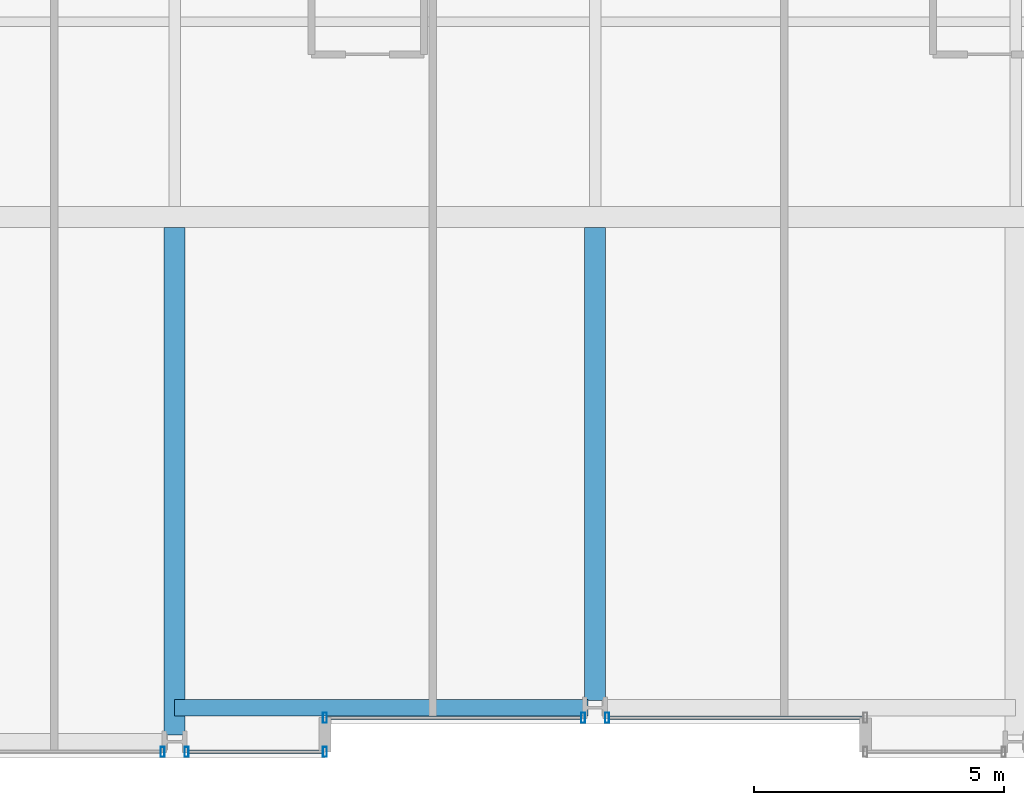
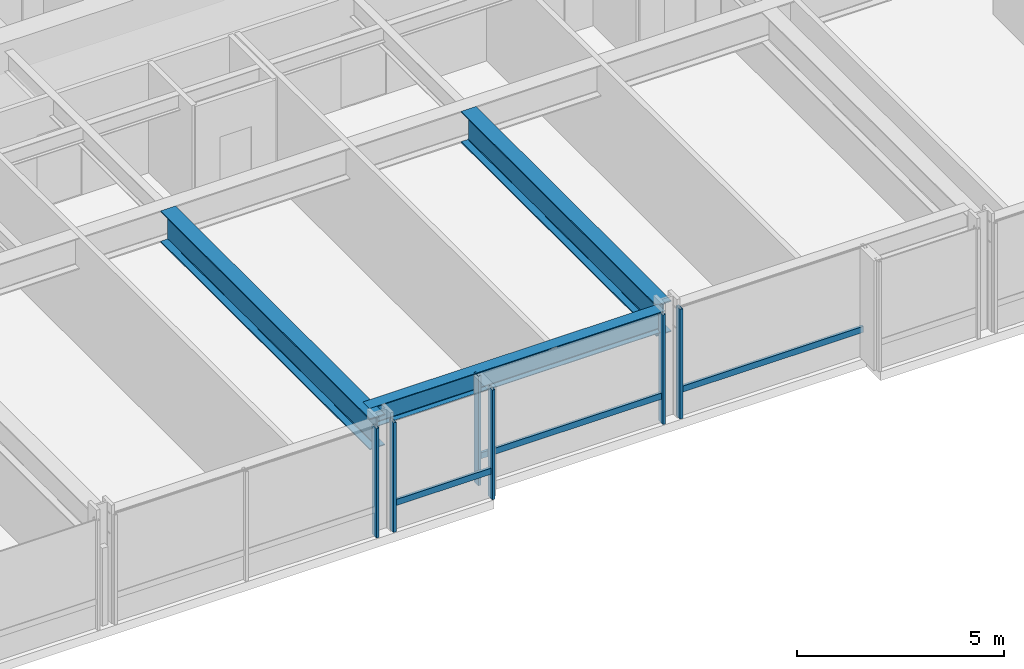
# One storey, part 5 of 39: 9 members, 3 beams, 4 elements without a shape of their own.
"""IFC4 building model written with IfcOpenShell, lengths in metres."""

from ifc_helpers import new_model, si_unit, direction, frame, origin, origin_2d, place, context, subcontext, project, spatial, hollow_rectangle, i_section, extrude, material, layer, layer_set, material_profile, profile_set, type_object, element, aggregate, save


model = new_model("IFC4")

# Units and contexts
model_context = context("Model", 3, precision=1e-05, world=origin(), true_north=direction((0.0, 1.0)))
body_context = subcontext(model_context, "Body", "Model", "MODEL_VIEW")
ifc_project = project(units=[si_unit("LENGTHUNIT", "METRE"), si_unit("AREAUNIT", "SQUARE_METRE"), si_unit("VOLUMEUNIT", "CUBIC_METRE"), si_unit("PLANEANGLEUNIT", "RADIAN"), si_unit("MASSUNIT", "GRAM", prefix="KILO")], contexts=[model_context])

# Site, building, storey
site_placement = place(None, origin())
site = spatial("IfcSite", under=ifc_project, at=site_placement, CompositionType="ELEMENT")
building_placement = place(site_placement, origin())
building = spatial("IfcBuilding", under=site, at=building_placement, Name="Drelvath Grand Hotel", CompositionType="ELEMENT")
storey_placement = place(building_placement, frame((0.0, 0.0, 54.199951171875)))
storey = spatial("IfcBuildingStorey", under=building, at=storey_placement, Name="L12", CompositionType="ELEMENT", Elevation=54.199951171875)

# Curtain wall, member
ifc_material_1 = material(Name="Warm Bronze Anodised Aluminium Frame", Category="aluminium")
ifc_layer = layer(ifc_material_1, 0.199951171875)
ifc_layer_set = layer_set([ifc_layer], Name="Warm Bronze Anodised Aluminium Frame")
curtain_wall_type = type_object("IfcCurtainWallType", Name="Stick Curtain Wall CW-02 Warm Bronze Low-Rise", PredefinedType="NOTDEFINED", material=ifc_layer_set)
curtain_wall_1_placement = place(storey_placement, origin())
curtain_wall_1 = element("IfcCurtainWall", 1, at=curtain_wall_1_placement, inside=storey, type_object=curtain_wall_type, Name="L12 CW-02 Curtain Wall CW02-L12-SM1", PredefinedType="NOTDEFINED")
ifc_material_profile_1 = material_profile(ifc_material_1, hollow_rectangle(XDim=0.074951171875, YDim=0.179931640625, WallThickness=0.0048828125, at=origin_2d()), Name="HSS180X75X5")
ifc_profile_set_1 = profile_set([ifc_material_profile_1], Name="Warm Bronze Anodised Aluminium Frame")
member_type_1 = type_object("IfcMemberType", Name="Curtain Wall Horizontal Transom CW-02 HSS180X75X5", PredefinedType="USERDEFINED", material=ifc_profile_set_1)
member_1_placement = place(storey_placement, frame((-0.281005859375, 0.800048828125, 0.81005859375), z_axis=(-1.0, 0.0, 0.0), x_axis=(0.0, -1.0, 0.0)))
member_1 = element("IfcMember", 2, at=member_1_placement, type_object=member_type_1, Name="CW02-L12-SM1 Sill Transom", ObjectType="TRANSOM", PredefinedType="USERDEFINED", context=body_context, shape_type="SweptSolid", body=[
    extrude(hollow_rectangle(XDim=0.074951171875, YDim=0.179931640625, WallThickness=0.0048828125, at=origin_2d()), origin(), (0.0, 0.0, 1.0), 5.0791015625),
])

curtain_wall_2_placement = place(storey_placement, origin())
curtain_wall_2 = element("IfcCurtainWall", 3, at=curtain_wall_2_placement, inside=storey, type_object=curtain_wall_type, Name="L12 CW-02 Curtain Wall CW02-L12-SM2", PredefinedType="NOTDEFINED")
member_2_placement = place(storey_placement, frame((5.360107421875, 0.800048828125, 0.81005859375), z_axis=(-1.0, 0.0, 0.0), x_axis=(0.0, -1.0, 0.0)))
member_2 = element("IfcMember", 4, at=member_2_placement, type_object=member_type_1, Name="CW02-L12-SM2 Sill Transom", ObjectType="TRANSOM", PredefinedType="USERDEFINED", context=body_context, shape_type="SweptSolid", body=[
    extrude(hollow_rectangle(XDim=0.074951171875, YDim=0.179931640625, WallThickness=0.0048828125, at=origin_2d()), origin(), (0.0, 0.0, 1.0), 5.0791015625),
])

curtain_wall_3_placement = place(storey_placement, origin())
curtain_wall_3 = element("IfcCurtainWall", 5, at=curtain_wall_3_placement, inside=storey, type_object=curtain_wall_type, Name="L12 CW-02 Curtain Wall CW02-L12-SW3", PredefinedType="NOTDEFINED")
member_3_placement = place(storey_placement, frame((-5.43994140625, 0.1201171875, 0.81005859375), z_axis=(-1.0, 0.0, 0.0), x_axis=(0.0, -1.0, 0.0)))
member_3 = element("IfcMember", 6, at=member_3_placement, type_object=member_type_1, Name="CW02-L12-SW3 Sill Transom", ObjectType="TRANSOM", PredefinedType="USERDEFINED", context=body_context, shape_type="SweptSolid", body=[
    extrude(hollow_rectangle(XDim=0.074951171875, YDim=0.179931640625, WallThickness=0.0048828125, at=origin_2d()), origin(), (0.0, 0.0, 1.0), 2.67919921875),
])

# Member
ifc_material_profile_2 = material_profile(ifc_material_1, hollow_rectangle(XDim=0.080078125, YDim=0.199951171875, WallThickness=0.0048828125, at=origin_2d()), Name="HSS200X80X5")
ifc_profile_set_2 = profile_set([ifc_material_profile_2], Name="Warm Bronze Anodised Aluminium Frame")
member_type_2 = type_object("IfcMemberType", Name="Curtain Wall Vertical Mullion CW-02 HSS200X80X5", PredefinedType="MULLION", material=ifc_profile_set_2)
member_4_placement = place(storey_placement, frame((-0.240966796875, 0.800048828125, 0.0), z_axis=(0.0, 0.0, 1.0), x_axis=(1.0, 0.0, 0.0)))
member_4 = element("IfcMember", 7, at=member_4_placement, type_object=member_type_2, Name="CW02-L12-SM1 Mullion 1", PredefinedType="MULLION", context=body_context, shape_type="SweptSolid", body=[
    extrude(hollow_rectangle(XDim=0.080078125, YDim=0.199951171875, WallThickness=0.0048828125, at=origin_2d()), origin(), (0.0, 0.0, 1.0), 3.239990234375),
])

member_5_placement = place(storey_placement, frame((-5.39990234375, 0.800048828125, 0.0), z_axis=(0.0, 0.0, 1.0), x_axis=(1.0, 0.0, 0.0)))
member_5 = element("IfcMember", 8, at=member_5_placement, type_object=member_type_2, Name="CW02-L12-SM1 Mullion 2", PredefinedType="MULLION", context=body_context, shape_type="SweptSolid", body=[
    extrude(hollow_rectangle(XDim=0.080078125, YDim=0.199951171875, WallThickness=0.0048828125, at=origin_2d()), origin(), (0.0, 0.0, 1.0), 3.239990234375),
])

aggregate(curtain_wall_1, [member_4, member_5, member_1])

member_6_placement = place(storey_placement, frame((0.240966796875, 0.800048828125, 0.0), z_axis=(0.0, 0.0, 1.0), x_axis=(1.0, 0.0, 0.0)))
member_6 = element("IfcMember", 9, at=member_6_placement, type_object=member_type_2, Name="CW02-L12-SM2 Mullion 2", PredefinedType="MULLION", context=body_context, shape_type="SweptSolid", body=[
    extrude(hollow_rectangle(XDim=0.080078125, YDim=0.199951171875, WallThickness=0.0048828125, at=origin_2d()), origin(), (0.0, 0.0, 1.0), 3.239990234375),
])

aggregate(curtain_wall_2, [member_6, member_2])

# Curtain wall, member
curtain_wall_4_placement = place(storey_placement, origin())
curtain_wall_4 = element("IfcCurtainWall", 10, at=curtain_wall_4_placement, inside=storey, type_object=curtain_wall_type, Name="L12 CW-02 Curtain Wall CW02-L12-SW2", PredefinedType="NOTDEFINED")
member_7_placement = place(storey_placement, frame((-8.640869140625, 0.1201171875, 0.0), z_axis=(0.0, 0.0, 1.0), x_axis=(1.0, 0.0, 0.0)))
member_7 = element("IfcMember", 11, at=member_7_placement, type_object=member_type_2, Name="CW02-L12-SW2 Mullion 1", PredefinedType="MULLION", context=body_context, shape_type="SweptSolid", body=[
    extrude(hollow_rectangle(XDim=0.080078125, YDim=0.199951171875, WallThickness=0.0048828125, at=origin_2d()), origin(), (0.0, 0.0, 1.0), 3.239990234375),
])
aggregate(curtain_wall_4, [member_7])

# Member
member_8_placement = place(storey_placement, frame((-5.39990234375, 0.1201171875, 0.0), z_axis=(0.0, 0.0, 1.0), x_axis=(1.0, 0.0, 0.0)))
member_8 = element("IfcMember", 12, at=member_8_placement, type_object=member_type_2, Name="CW02-L12-SW3 Mullion 1", PredefinedType="MULLION", context=body_context, shape_type="SweptSolid", body=[
    extrude(hollow_rectangle(XDim=0.080078125, YDim=0.199951171875, WallThickness=0.0048828125, at=origin_2d()), origin(), (0.0, 0.0, 1.0), 3.239990234375),
])

member_9_placement = place(storey_placement, frame((-8.1591796875, 0.1201171875, 0.0), z_axis=(0.0, 0.0, 1.0), x_axis=(1.0, 0.0, 0.0)))
member_9 = element("IfcMember", 13, at=member_9_placement, type_object=member_type_2, Name="CW02-L12-SW3 Mullion 2", PredefinedType="MULLION", context=body_context, shape_type="SweptSolid", body=[
    extrude(hollow_rectangle(XDim=0.080078125, YDim=0.199951171875, WallThickness=0.0048828125, at=origin_2d()), origin(), (0.0, 0.0, 1.0), 3.239990234375),
])

aggregate(curtain_wall_3, [member_8, member_9, member_3])

# Beams
ifc_material_2 = material(Name="Steel ASTM A992 Gr 50", Category="steel")
ifc_material_profile_3 = material_profile(ifc_material_2, i_section(OverallWidth=0.323974609375, OverallDepth=0.611083984375, WebThickness=0.0126953125, FlangeThickness=0.01904296875, FilletRadius=0.02197265625, at=origin_2d()), Name="W24X104")
ifc_profile_set_3 = profile_set([ifc_material_profile_3], Name="Steel ASTM A992 Gr 50")
beam_type_1 = type_object("IfcBeamType", Name="Perimeter Spandrel Beam W24X104", PredefinedType="SPANDREL", material=ifc_profile_set_3)
beam_1_placement = place(storey_placement, frame((-8.39990234375, 1.0, 2.9345703125), z_axis=(1.0, 0.0, 0.0), x_axis=(0.0, 1.0, 0.0)))
element("IfcBeam", 14, at=beam_1_placement, inside=storey, type_object=beam_type_1, Name="L12 Spandrel South Mid W", PredefinedType="SPANDREL", context=body_context, shape_type="SweptSolid", body=[
    extrude(i_section(OverallWidth=0.323974609375, OverallDepth=0.611083984375, WebThickness=0.0126953125, FlangeThickness=0.01904296875, FilletRadius=0.02197265625, at=origin_2d()), origin(), (0.0, 0.0, 1.0), 8.260009765625),
])
ifc_material_profile_4 = material_profile(ifc_material_2, i_section(OverallWidth=0.418212890625, OverallDepth=0.926513671875, WebThickness=0.019287109375, FlangeThickness=0.031982421875, FilletRadius=0.028076171875, at=origin_2d()), Name="W36X231")
ifc_profile_set_4 = profile_set([ifc_material_profile_4], Name="Steel ASTM A992 Gr 50")
beam_type_2 = type_object("IfcBeamType", Name="Primary Floor Girder W36X231", PredefinedType="BEAM", material=ifc_profile_set_4)
beam_2_placement = place(storey_placement, frame((-8.39990234375, 0.4599609375, 2.77685546875), z_axis=(0.0, 1.0, 0.0), x_axis=(-1.0, 0.0, 0.0)))
element("IfcBeam", 15, at=beam_2_placement, inside=storey, type_object=beam_type_2, Name="L12 South Wing Girder 4", PredefinedType="BEAM", context=body_context, shape_type="SweptSolid", body=[
    extrude(i_section(OverallWidth=0.418212890625, OverallDepth=0.926513671875, WebThickness=0.019287109375, FlangeThickness=0.031982421875, FilletRadius=0.028076171875, at=origin_2d()), origin(), (0.0, 0.0, 1.0), 10.130859375),
])
beam_3_placement = place(storey_placement, frame((0.0, 1.139892578125, 2.77685546875), z_axis=(0.0, 1.0, 0.0), x_axis=(-1.0, 0.0, 0.0)))
element("IfcBeam", 16, at=beam_3_placement, inside=storey, type_object=beam_type_2, Name="L12 South Wing Girder 5", PredefinedType="BEAM", context=body_context, shape_type="SweptSolid", body=[
    extrude(i_section(OverallWidth=0.418212890625, OverallDepth=0.926513671875, WebThickness=0.019287109375, FlangeThickness=0.031982421875, FilletRadius=0.028076171875, at=origin_2d()), origin(), (0.0, 0.0, 1.0), 9.450927734375),
])

save(model, "model.ifc")
